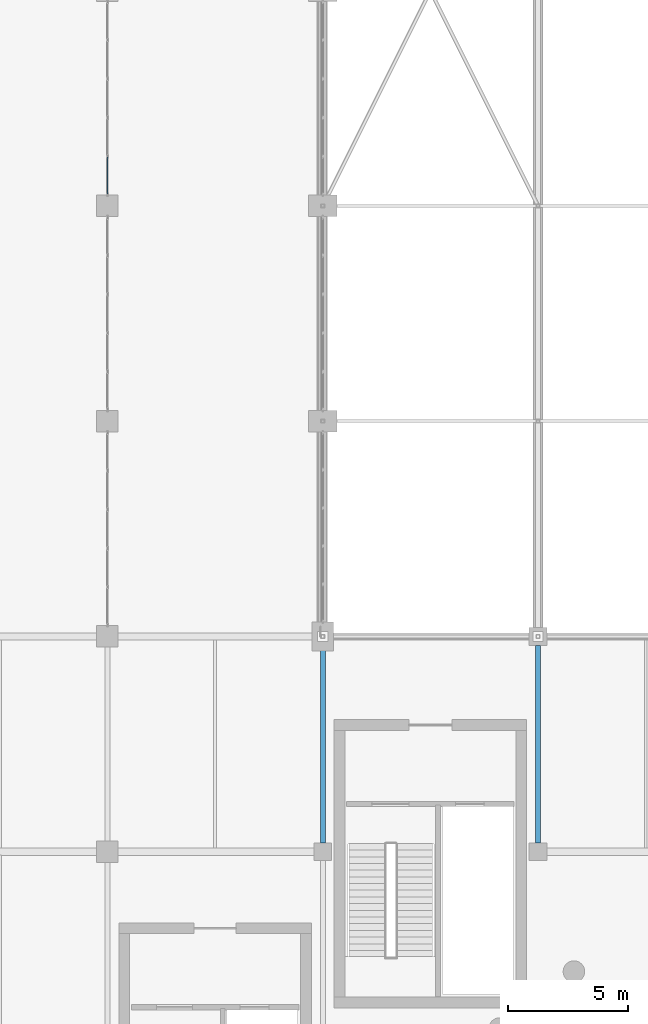
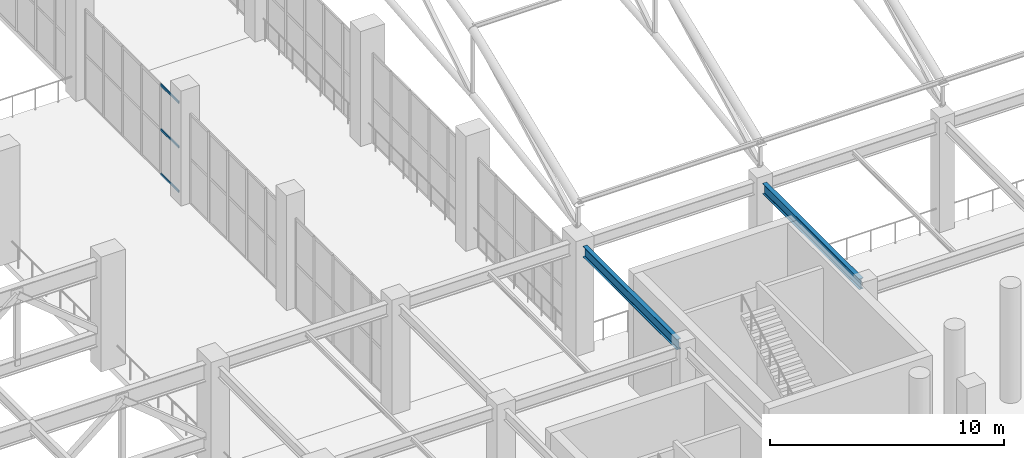
# One storey, part 30 of 223: 3 members, 2 beams, 1 element without a shape of its own.
"""IFC4 building model written with IfcOpenShell, lengths in metres."""

from ifc_helpers import new_model, si_unit, direction, frame, origin, origin_2d, place, context, subcontext, project, spatial, hollow_rectangle, i_section, extrude, material, layer, layer_set, material_profile, profile_set, type_object, element, aggregate, save


model = new_model("IFC4")

# Units and contexts
model_context = context("Model", 3, precision=1e-05, world=origin(), true_north=direction((0.0, 1.0)))
body_context = subcontext(model_context, "Body", "Model", "MODEL_VIEW")
ifc_project = project(units=[si_unit("LENGTHUNIT", "METRE"), si_unit("AREAUNIT", "SQUARE_METRE"), si_unit("VOLUMEUNIT", "CUBIC_METRE"), si_unit("PLANEANGLEUNIT", "RADIAN"), si_unit("MASSUNIT", "GRAM", prefix="KILO")], contexts=[model_context])

# Site, building, storey
site_placement = place(None, origin())
site = spatial("IfcSite", under=ifc_project, at=site_placement, CompositionType="ELEMENT")
building_placement = place(site_placement, origin())
building = spatial("IfcBuilding", under=site, at=building_placement, Name="Dornveld Trade and Exhibition Forum", CompositionType="ELEMENT")
storey_placement = place(building_placement, frame((0.0, 0.0, 6.0)))
storey = spatial("IfcBuildingStorey", under=building, at=storey_placement, Name="L01", CompositionType="ELEMENT", Elevation=6.0)

# Beams
ifc_material_1 = material(Name="Steel S355J2", Category="steel")
ifc_material_profile_1 = material_profile(ifc_material_1, i_section(OverallWidth=0.2099609375, OverallDepth=0.550048828125, WebThickness=0.010986328125, FlangeThickness=0.01708984375, FilletRadius=0.02392578125, at=origin_2d()), Name="IPE 550")
ifc_profile_set_1 = profile_set([ifc_material_profile_1], Name="Steel S355J2")
beam_type = type_object("IfcBeamType", Name="BM-SEC-550", PredefinedType="BEAM", material=ifc_profile_set_1)
beam_1_placement = place(storey_placement, frame((99.0, 99.37109375, 5.364990234375), z_axis=(0.0, 1.0, 0.0), x_axis=(-1.0, 0.0, 0.0)))
element("IfcBeam", 1, at=beam_1_placement, inside=storey, type_object=beam_type, Name="L01 Y-girder 1221", PredefinedType="BEAM", context=body_context, shape_type="SweptSolid", body=[
    extrude(i_section(OverallWidth=0.2099609375, OverallDepth=0.550048828125, WebThickness=0.010986328125, FlangeThickness=0.01708984375, FilletRadius=0.02392578125, at=origin_2d()), origin(), (0.0, 0.0, 1.0), 8.032958984375),
])
beam_2_placement = place(storey_placement, frame((108.0, 99.37109375, 5.364990234375), z_axis=(0.0, 1.0, 0.0), x_axis=(-1.0, 0.0, 0.0)))
element("IfcBeam", 2, at=beam_2_placement, inside=storey, type_object=beam_type, Name="L01 Y-girder 1223", PredefinedType="BEAM", context=body_context, shape_type="SweptSolid", body=[
    extrude(i_section(OverallWidth=0.2099609375, OverallDepth=0.550048828125, WebThickness=0.010986328125, FlangeThickness=0.01708984375, FilletRadius=0.02392578125, at=origin_2d()), origin(), (0.0, 0.0, 1.0), 8.2578125),
])

# Curtain wall, members
ifc_material_2 = material(Name="Dark-bronze anodised aluminium and low-E glass", Category="aluminium")
ifc_layer = layer(ifc_material_2, 0.154052734375)
ifc_layer_set = layer_set([ifc_layer], Name="Dark-bronze anodised aluminium and low-E glass")
curtain_wall_type = type_object("IfcCurtainWallType", Name="CW-SYS-04", PredefinedType="USERDEFINED", material=ifc_layer_set)
curtain_wall_placement = place(storey_placement, origin())
curtain_wall = element("IfcCurtainWall", 3, at=curtain_wall_placement, inside=storey, type_object=curtain_wall_type, Name="L01 unitised curtain wall 148", ObjectType="UNITISED_CURTAIN_WALL", PredefinedType="USERDEFINED")
ifc_material_3 = material(Name="Dark-bronze anodised aluminium", Category="aluminium")
ifc_material_profile_2 = material_profile(ifc_material_3, hollow_rectangle(XDim=0.06005859375, YDim=0.1201171875, WallThickness=0.00390625, at=origin_2d()), Name="RHS 120x60x4")
ifc_profile_set_2 = profile_set([ifc_material_profile_2], Name="Dark-bronze anodised aluminium")
member_type = type_object("IfcMemberType", Name="CW-TRN-120", PredefinedType="USERDEFINED", material=ifc_profile_set_2)
member_1_placement = place(storey_placement, frame((90.0, 128.03759765625, 0.02587890625), z_axis=(0.0, -1.0, 0.0), x_axis=(1.0, 0.0, 0.0)))
member_1 = element("IfcMember", 4, at=member_1_placement, type_object=member_type, Name="CW-04 transom 5.1", ObjectType="TRANSOM", PredefinedType="USERDEFINED", context=body_context, shape_type="SweptSolid", body=[
    extrude(hollow_rectangle(XDim=0.06005859375, YDim=0.1201171875, WallThickness=0.00390625, at=origin_2d()), origin(), (0.0, 0.0, 1.0), 1.531494140625),
])
member_2_placement = place(storey_placement, frame((90.0, 128.03759765625, 2.347900390625), z_axis=(0.0, -1.0, 0.0), x_axis=(1.0, 0.0, 0.0)))
member_2 = element("IfcMember", 5, at=member_2_placement, type_object=member_type, Name="CW-04 transom 5.2", ObjectType="TRANSOM", PredefinedType="USERDEFINED", context=body_context, shape_type="SweptSolid", body=[
    extrude(hollow_rectangle(XDim=0.06005859375, YDim=0.1201171875, WallThickness=0.00390625, at=origin_2d()), origin(), (0.0, 0.0, 1.0), 1.531494140625),
])
member_3_placement = place(storey_placement, frame((90.0, 128.03759765625, 4.669921875), z_axis=(0.0, -1.0, 0.0), x_axis=(1.0, 0.0, 0.0)))
member_3 = element("IfcMember", 6, at=member_3_placement, type_object=member_type, Name="CW-04 transom 5.3", ObjectType="TRANSOM", PredefinedType="USERDEFINED", context=body_context, shape_type="SweptSolid", body=[
    extrude(hollow_rectangle(XDim=0.06005859375, YDim=0.1201171875, WallThickness=0.00390625, at=origin_2d()), origin(), (0.0, 0.0, 1.0), 1.531494140625),
])
aggregate(curtain_wall, [member_1, member_2, member_3])

save(model, "model.ifc")
